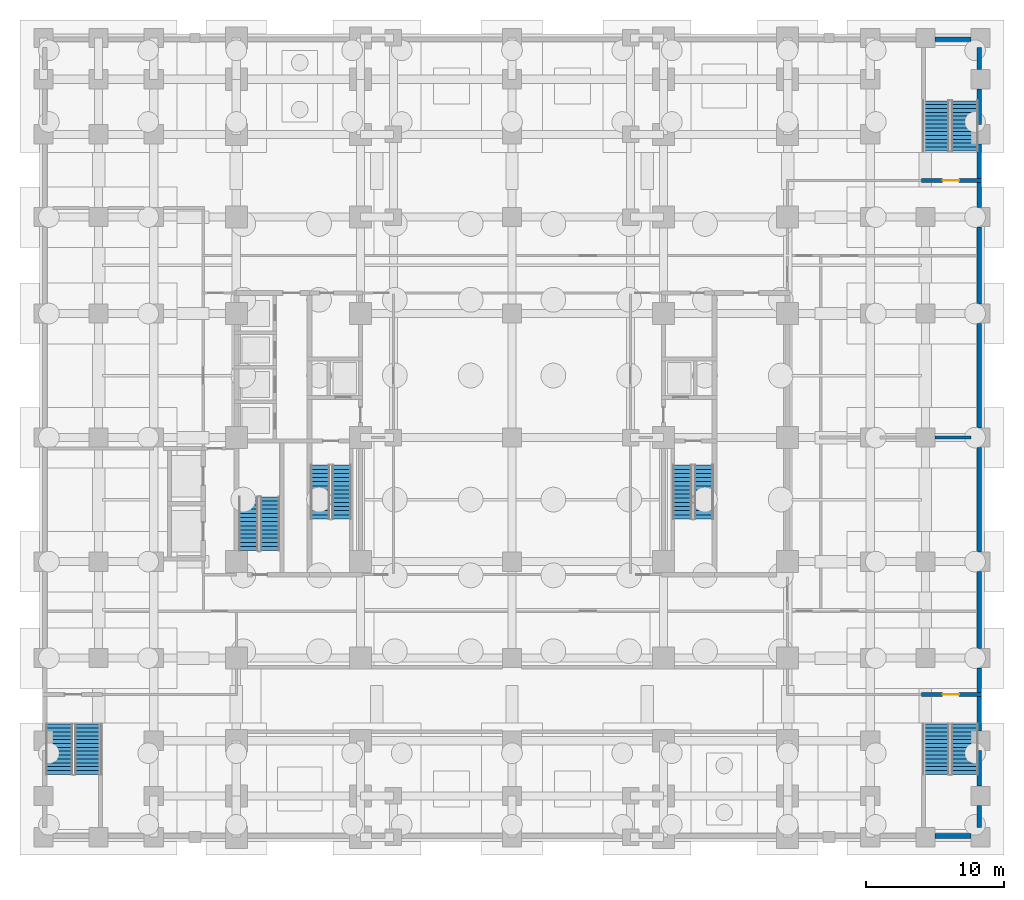
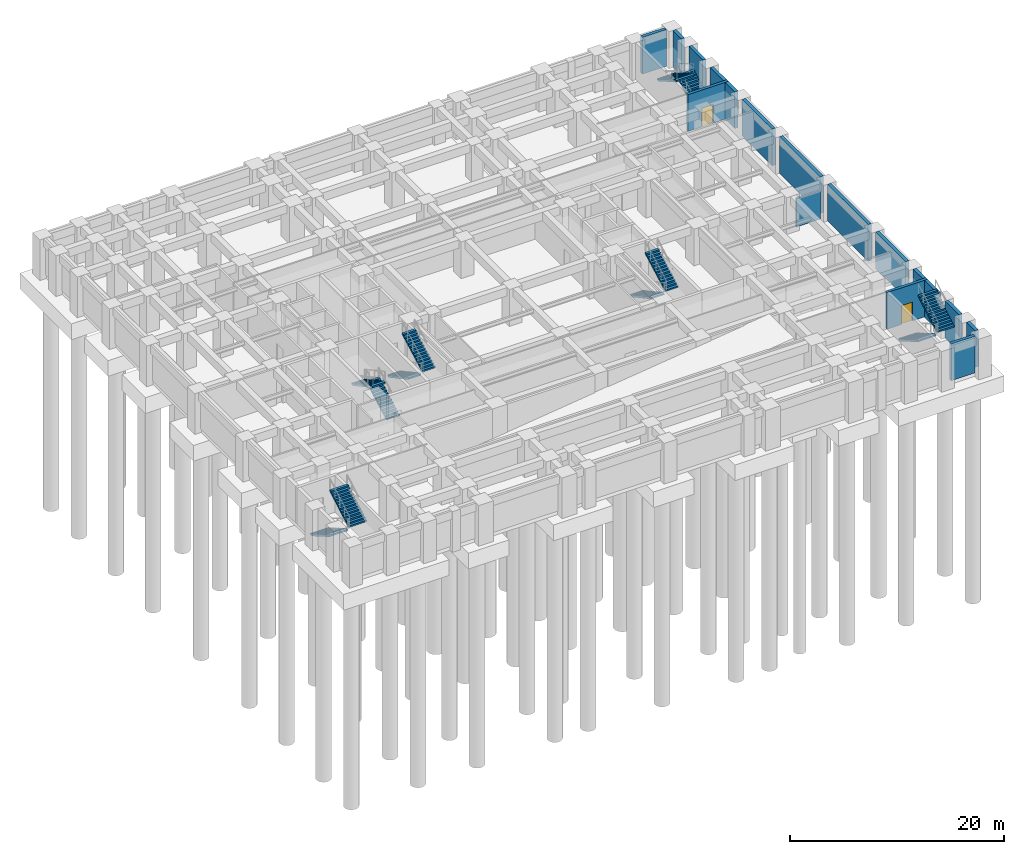
# One storey, part 9 of 16: 17 walls, 12 stair flights, 2 doors, 2 openings, 6 elements without a shape of their own.
"""IFC4 building model written with IfcOpenShell, lengths in metres."""

from ifc_helpers import new_model, si_unit, direction, frame, frame_2d, origin, place, context, subcontext, project, spatial, polyline, rectangle, outline, extrude, material, layer, layer_set, type_object, element, fill, aggregate, save


model = new_model("IFC4")

# Units and contexts
model_context = context("Model", 3, precision=1e-05, world=origin(), true_north=direction((0.0, 1.0)))
body_context = subcontext(model_context, "Body", "Model", "MODEL_VIEW")
ifc_project = project(units=[si_unit("LENGTHUNIT", "METRE"), si_unit("AREAUNIT", "SQUARE_METRE"), si_unit("VOLUMEUNIT", "CUBIC_METRE"), si_unit("PLANEANGLEUNIT", "RADIAN"), si_unit("MASSUNIT", "GRAM", prefix="KILO")], contexts=[model_context])

# Site, building, storey
site_placement = place(None, origin())
site = spatial("IfcSite", under=ifc_project, at=site_placement, CompositionType="ELEMENT")
building_placement = place(site_placement, origin())
building = spatial("IfcBuilding", under=site, at=building_placement, Name="Zulmaris Gate Convention Tower", CompositionType="ELEMENT")
storey_placement = place(building_placement, frame((0.0, 0.0, -9.10009765625)))
storey = spatial("IfcBuildingStorey", under=building, at=storey_placement, Name="B2", CompositionType="ELEMENT", Elevation=-9.10009765625)

# Wall, opening, door
ifc_material_1 = material(Name="Concrete C50/60", Category="concrete")
ifc_layer_1 = layer(ifc_material_1, 0.300048828125, Name="Concrete C50/60")
ifc_layer_set_1 = layer_set([ifc_layer_1], Name="Concrete C50/60")
wall_type_1 = type_object("IfcWallType", Name="CORE-300", PredefinedType="SHEAR", material=ifc_layer_set_1)
wall_1_placement = place(storey_placement, frame((29.699951171875, -18.64990234375, 0.0), z_axis=(0.0, 0.0, 1.0), x_axis=(1.0, 0.0, 0.0)))
wall_1 = element("IfcWall", 1, at=wall_1_placement, inside=storey, type_object=wall_type_1, Name="WL-B2-004", PredefinedType="SHEAR", context=body_context, shape_type="SweptSolid", body=[
    extrude(rectangle(XDim=4.375, YDim=0.300048828125, at=frame_2d((2.1875, 0.0))), origin(), (0.0, 0.0, 1.0), 4.2001953125),
])
opening_1_placement = place(wall_1_placement, frame((1.550048828125, 0.0, 0.0)))
opening_1 = element("IfcOpeningElement", 2, at=opening_1_placement, cuts=wall_1, Name="Opening D-13", PredefinedType="OPENING", context=body_context, shape_type="SweptSolid", body=[
    extrude(rectangle(XDim=1.199951171875, YDim=2.14990234375, at=frame_2d((0.60009765625, 1.074951171875))), frame((0.0, 0.16015625, 0.0), z_axis=(0.0, -1.0, 0.0), x_axis=(1.0, 0.0, 0.0)), (0.0, 0.0, 1.0), 0.320068359375),
])
ifc_material_2 = material(Name="Fire-Rated Steel", Category="steel")
door_type = type_object("IfcDoorType", Name="DR-1200-FD", OperationType="NOTDEFINED", PredefinedType="DOOR", material=ifc_material_2)
door_1_placement = place(opening_1_placement, origin())
door_1 = element("IfcDoor", 3, at=door_1_placement, inside=storey, type_object=door_type, Name="B2 Exit Stair ST-6 Door 21", OperationType="SINGLE_SWING_LEFT", OverallHeight=2.14990234375, OverallWidth=1.199951171875, PredefinedType="DOOR", context=body_context, shape_type="SweptSolid", body=[
    extrude(rectangle(XDim=1.199951171875, YDim=2.14990234375, at=frame_2d((0.60009765625, 1.074951171875))), frame((0.0, 0.02490234375, 0.0), z_axis=(0.0, -1.0, 0.0), x_axis=(1.0, 0.0, 0.0)), (0.0, 0.0, 1.0), 0.050048828125),
])
fill(opening_1, door_1)

wall_2_placement = place(storey_placement, frame((29.699951171875, 18.64990234375, 0.0), z_axis=(0.0, 0.0, 1.0), x_axis=(1.0, 0.0, 0.0)))
wall_2 = element("IfcWall", 4, at=wall_2_placement, inside=storey, type_object=wall_type_1, Name="WL-B2-026", PredefinedType="SHEAR", context=body_context, shape_type="SweptSolid", body=[
    extrude(rectangle(XDim=4.375, YDim=0.300048828125, at=frame_2d((2.1875, 0.0))), origin(), (0.0, 0.0, 1.0), 4.2001953125),
])
opening_2_placement = place(wall_2_placement, frame((1.550048828125, 0.0, 0.0)))
opening_2 = element("IfcOpeningElement", 5, at=opening_2_placement, cuts=wall_2, Name="Opening D-13", PredefinedType="OPENING", context=body_context, shape_type="SweptSolid", body=[
    extrude(rectangle(XDim=1.199951171875, YDim=2.14990234375, at=frame_2d((0.60009765625, 1.074951171875))), frame((0.0, 0.16015625, 0.0), z_axis=(0.0, -1.0, 0.0), x_axis=(1.0, 0.0, 0.0)), (0.0, 0.0, 1.0), 0.320068359375),
])
door_2_placement = place(opening_2_placement, origin())
door_2 = element("IfcDoor", 6, at=door_2_placement, inside=storey, type_object=door_type, Name="B2 Exit Stair ST-5 Door 20", OperationType="SINGLE_SWING_RIGHT", OverallHeight=2.14990234375, OverallWidth=1.199951171875, PredefinedType="DOOR", context=body_context, shape_type="SweptSolid", body=[
    extrude(rectangle(XDim=1.199951171875, YDim=2.14990234375, at=frame_2d((0.60009765625, 1.074951171875))), frame((0.0, 0.02490234375, 0.0), z_axis=(0.0, -1.0, 0.0), x_axis=(1.0, 0.0, 0.0)), (0.0, 0.0, 1.0), 0.050048828125),
])
fill(opening_2, door_2)

# Walls
ifc_material_3 = material(Name="Concrete C55/67", Category="concrete")
ifc_layer_2 = layer(ifc_material_3, 0.35009765625, Name="Concrete C55/67")
ifc_layer_set_2 = layer_set([ifc_layer_2], Name="Concrete C55/67")
wall_type_2 = type_object("IfcWallType", Name="CORE-350", PredefinedType="SHEAR", material=ifc_layer_set_2)
for number, where, z_axis, x_axis, name in (
    (7, (30.7041015625, -28.89990234375, 0.0), (0.0, 0.0, 1.0), (1.0, 0.0, 0.0), "WL-B2-001S13"),
    (8, (30.7041015625, 28.89990234375, 0.0), (0.0, 0.0, 1.0), (1.0, 0.0, 0.0), "WL-B2-027S13"),
):
    element("IfcWall", number, at=place(storey_placement, frame(where, z_axis=z_axis, x_axis=x_axis)), inside=storey, type_object=wall_type_2, Name=name, PredefinedType="SHEAR", context=body_context, shape_type="SweptSolid", body=[
        extrude(rectangle(XDim=2.591796875, YDim=0.35009765625, at=frame_2d((1.2958984375, 0.0))), origin(), (0.0, 0.0, 1.0), 4.2001953125),
    ])
wall_3_placement = place(storey_placement, frame((33.89990234375, -28.2958984375, 0.0), z_axis=(0.0, 0.0, 1.0), x_axis=(0.0, 1.0, 0.0)))
element("IfcWall", 9, at=wall_3_placement, inside=storey, type_object=wall_type_2, Name="WL-B2-085", PredefinedType="SHEAR", context=body_context, shape_type="SweptSolid", body=[
    extrude(rectangle(XDim=1.591796875, YDim=0.35009765625, at=frame_2d((0.7958984375, 0.0))), origin(), (0.0, 0.0, 1.0), 4.2001953125),
])
wall_4_placement = place(storey_placement, frame((33.89990234375, -25.2958984375, 0.0), z_axis=(0.0, 0.0, 1.0), x_axis=(0.0, 1.0, 0.0)))
element("IfcWall", 10, at=wall_4_placement, inside=storey, type_object=wall_type_2, Name="WL-B2-085S1", PredefinedType="SHEAR", context=body_context, shape_type="SweptSolid", body=[
    extrude(rectangle(XDim=2.591796875, YDim=0.35009765625, at=frame_2d((1.2958984375, 0.0))), origin(), (0.0, 0.0, 1.0), 4.2001953125),
])
wall_5_placement = place(storey_placement, frame((33.89990234375, -21.2958984375, 0.0), z_axis=(0.0, 0.0, 1.0), x_axis=(0.0, 1.0, 0.0)))
element("IfcWall", 11, at=wall_5_placement, inside=storey, type_object=wall_type_2, Name="WL-B2-085S2", PredefinedType="SHEAR", context=body_context, shape_type="SweptSolid", body=[
    extrude(rectangle(XDim=2.493896484375, YDim=0.35009765625, at=frame_2d((1.2470703125, 0.0))), origin(), (0.0, 0.0, 1.0), 4.2001953125),
])
wall_6_placement = place(storey_placement, frame((33.89990234375, -18.498046875, 0.0), z_axis=(0.0, 0.0, 1.0), x_axis=(0.0, 1.0, 0.0)))
element("IfcWall", 12, at=wall_6_placement, inside=storey, type_object=wall_type_2, Name="WL-B2-086", PredefinedType="SHEAR", context=body_context, shape_type="SweptSolid", body=[
    extrude(rectangle(XDim=1.7939453125, YDim=0.35009765625, at=frame_2d((0.89697265625, 0.0))), origin(), (0.0, 0.0, 1.0), 4.2001953125),
])
wall_7_placement = place(storey_placement, frame((33.89990234375, -15.2958984375, 0.0), z_axis=(0.0, 0.0, 1.0), x_axis=(0.0, 1.0, 0.0)))
element("IfcWall", 13, at=wall_7_placement, inside=storey, type_object=wall_type_2, Name="WL-B2-086S1", PredefinedType="SHEAR", context=body_context, shape_type="SweptSolid", body=[
    extrude(rectangle(XDim=5.591796875, YDim=0.35009765625, at=frame_2d((2.7958984375, 0.0))), origin(), (0.0, 0.0, 1.0), 4.2001953125),
])
for number, where, z_axis, x_axis, name in (
    (14, (33.89990234375, -8.2958984375, 0.0), (0.0, 0.0, 1.0), (0.0, 1.0, 0.0), "WL-B2-086S2"),
    (15, (33.89990234375, 0.7041015625, 0.0), (0.0, 0.0, 1.0), (0.0, 1.0, 0.0), "WL-B2-086S3"),
):
    element("IfcWall", number, at=place(storey_placement, frame(where, z_axis=z_axis, x_axis=x_axis)), inside=storey, type_object=wall_type_2, Name=name, PredefinedType="SHEAR", context=body_context, shape_type="SweptSolid", body=[
        extrude(rectangle(XDim=7.591796875, YDim=0.35009765625, at=frame_2d((3.7958984375, 0.0))), origin(), (0.0, 0.0, 1.0), 4.2001953125),
    ])
wall_8_placement = place(storey_placement, frame((33.89990234375, 9.7041015625, 0.0), z_axis=(0.0, 0.0, 1.0), x_axis=(0.0, 1.0, 0.0)))
element("IfcWall", 16, at=wall_8_placement, inside=storey, type_object=wall_type_2, Name="WL-B2-086S4", PredefinedType="SHEAR", context=body_context, shape_type="SweptSolid", body=[
    extrude(rectangle(XDim=5.591796875, YDim=0.35009765625, at=frame_2d((2.7958984375, 0.0))), origin(), (0.0, 0.0, 1.0), 4.2001953125),
])
wall_9_placement = place(storey_placement, frame((33.89990234375, 16.7041015625, 0.0), z_axis=(0.0, 0.0, 1.0), x_axis=(0.0, 1.0, 0.0)))
element("IfcWall", 17, at=wall_9_placement, inside=storey, type_object=wall_type_2, Name="WL-B2-086S5", PredefinedType="SHEAR", context=body_context, shape_type="SweptSolid", body=[
    extrude(rectangle(XDim=1.7939453125, YDim=0.35009765625, at=frame_2d((0.89697265625, 0.0))), origin(), (0.0, 0.0, 1.0), 4.2001953125),
])
wall_10_placement = place(storey_placement, frame((33.89990234375, 18.802001953125, 0.0), z_axis=(0.0, 0.0, 1.0), x_axis=(0.0, 1.0, 0.0)))
element("IfcWall", 18, at=wall_10_placement, inside=storey, type_object=wall_type_2, Name="WL-B2-087", PredefinedType="SHEAR", context=body_context, shape_type="SweptSolid", body=[
    extrude(rectangle(XDim=2.493896484375, YDim=0.35009765625, at=frame_2d((1.2470703125, 0.0))), origin(), (0.0, 0.0, 1.0), 4.2001953125),
])
wall_11_placement = place(storey_placement, frame((33.89990234375, 22.7041015625, 0.0), z_axis=(0.0, 0.0, 1.0), x_axis=(0.0, 1.0, 0.0)))
element("IfcWall", 19, at=wall_11_placement, inside=storey, type_object=wall_type_2, Name="WL-B2-087S1", PredefinedType="SHEAR", context=body_context, shape_type="SweptSolid", body=[
    extrude(rectangle(XDim=2.591796875, YDim=0.35009765625, at=frame_2d((1.2958984375, 0.0))), origin(), (0.0, 0.0, 1.0), 4.2001953125),
])
wall_12_placement = place(storey_placement, frame((33.89990234375, 26.7041015625, 0.0), z_axis=(0.0, 0.0, 1.0), x_axis=(0.0, 1.0, 0.0)))
element("IfcWall", 20, at=wall_12_placement, inside=storey, type_object=wall_type_2, Name="WL-B2-087S2", PredefinedType="SHEAR", context=body_context, shape_type="SweptSolid", body=[
    extrude(rectangle(XDim=1.591796875, YDim=0.35009765625, at=frame_2d((0.7958984375, 0.0))), origin(), (0.0, 0.0, 1.0), 4.2001953125),
])
ifc_material_4 = material(Name="Autoclaved Aerated Concrete Block and Plasterboard", Category="concrete")
ifc_layer_3 = layer(ifc_material_4, 0.199951171875, Name="Autoclaved Aerated Concrete Block and Plasterboard")
ifc_layer_set_3 = layer_set([ifc_layer_3], Name="Autoclaved Aerated Concrete Block and Plasterboard")
wall_type_3 = type_object("IfcWallType", Name="PART-200", PredefinedType="PARTITIONING", material=ifc_layer_set_3)
wall_13_placement = place(storey_placement, frame((30.7060546875, 0.0, 0.0), z_axis=(0.0, 0.0, 1.0), x_axis=(1.0, 0.0, 0.0)))
element("IfcWall", 21, at=wall_13_placement, inside=storey, type_object=wall_type_3, Name="WL-B2-038S2", PredefinedType="PARTITIONING", context=body_context, shape_type="SweptSolid", body=[
    extrude(rectangle(XDim=2.587890625, YDim=0.199951171875, at=frame_2d((1.2939453125, 0.0))), origin(), (0.0, 0.0, 1.0), 3.2421875),
])

# Stair, stair flights
ifc_material_5 = material(Name="Concrete C45/55", Category="concrete")
stair_type_1 = type_object("IfcStairType", Name="ST-CORE-DOGLEG", PredefinedType="HALF_TURN_STAIR", material=ifc_material_5)
stair_1_placement = place(storey_placement, origin())
stair_1 = element("IfcStair", 22, at=stair_1_placement, inside=storey, type_object=stair_type_1, Name="B2 Core Exit Stair ST-1", PredefinedType="HALF_TURN_STAIR")
ifc_layer_4 = layer(ifc_material_5, 0.14990234375, Name="Concrete C45/55")
ifc_layer_set_4 = layer_set([ifc_layer_4], Name="Concrete C45/55")
stair_flight_type_1 = type_object("IfcStairFlightType", Name="STF-RC150", PredefinedType="STRAIGHT", material=ifc_layer_set_4)
stair_flight_1_placement = place(storey_placement, frame((-13.919921875, -2.0, 0.0), z_axis=(0.0, 0.0, 1.0), x_axis=(0.0, -1.0, 0.0)))
stair_flight_1 = element("IfcStairFlight", 23, at=stair_flight_1_placement, type_object=stair_flight_type_1, Name="ST-1 flight 1", NumberOfRisers=14, NumberOfTreads=13, PredefinedType="STRAIGHT", RiserHeight=0.162503571, TreadLength=0.3, context=body_context, shape_type="SweptSolid", body=[
    extrude(outline(polyline([(0.0, 0.0), (0.0, 0.16259765625), (0.300048828125, 0.16259765625), (0.300048828125, 0.324951171875), (0.60009765625, 0.324951171875), (0.60009765625, 0.487548828125), (0.89990234375, 0.487548828125), (0.89990234375, 0.64990234375), (1.199951171875, 0.64990234375), (1.199951171875, 0.8125), (1.5, 0.8125), (1.5, 0.97509765625), (1.800048828125, 0.97509765625), (1.800048828125, 1.137451171875), (2.10009765625, 1.137451171875), (2.10009765625, 1.300048828125), (2.39990234375, 1.300048828125), (2.39990234375, 1.462646484375), (2.699951171875, 1.462646484375), (2.699951171875, 1.625), (3.0, 1.625), (3.0, 1.78759765625), (3.300048828125, 1.78759765625), (3.300048828125, 1.949951171875), (3.60009765625, 1.949951171875), (3.60009765625, 2.112548828125), (3.89990234375, 2.112548828125), (3.89990234375, 2.275146484375), (3.89990234375, 1.942138671875), (0.314697265625, 0.0), (0.0, 0.0)])), frame((0.0, 0.699951171875, 0.0), z_axis=(0.0, -1.0, 0.0), x_axis=(1.0, 0.0, 0.0)), (0.0, 0.0, 1.0), 1.39990234375),
])
stair_flight_2_placement = place(storey_placement, frame((-12.360107421875, -5.89990234375, 2.275146484375), z_axis=(0.0, 0.0, 1.0), x_axis=(0.0, 1.0, 0.0)))
stair_flight_2 = element("IfcStairFlight", 24, at=stair_flight_2_placement, type_object=stair_flight_type_1, Name="ST-1 flight 2", NumberOfRisers=14, NumberOfTreads=13, PredefinedType="STRAIGHT", RiserHeight=0.162503571, TreadLength=0.3, context=body_context, shape_type="SweptSolid", body=[
    extrude(outline(polyline([(0.0, 0.0), (0.0, 0.16259765625), (0.300048828125, 0.16259765625), (0.300048828125, 0.324951171875), (0.60009765625, 0.324951171875), (0.60009765625, 0.487548828125), (0.89990234375, 0.487548828125), (0.89990234375, 0.64990234375), (1.199951171875, 0.64990234375), (1.199951171875, 0.8125), (1.5, 0.8125), (1.5, 0.97509765625), (1.800048828125, 0.97509765625), (1.800048828125, 1.137451171875), (2.10009765625, 1.137451171875), (2.10009765625, 1.300048828125), (2.39990234375, 1.300048828125), (2.39990234375, 1.462646484375), (2.699951171875, 1.462646484375), (2.699951171875, 1.625), (3.0, 1.625), (3.0, 1.78759765625), (3.300048828125, 1.78759765625), (3.300048828125, 1.949951171875), (3.60009765625, 1.949951171875), (3.60009765625, 2.112548828125), (3.89990234375, 2.112548828125), (3.89990234375, 2.275146484375), (3.89990234375, 1.942138671875), (0.314697265625, 0.0), (0.0, 0.0)])), frame((0.0, 0.699951171875, 0.0), z_axis=(0.0, -1.0, 0.0), x_axis=(1.0, 0.0, 0.0)), (0.0, 0.0, 1.0), 1.39990234375),
])
aggregate(stair_1, [stair_flight_1, stair_flight_2])

stair_2_placement = place(storey_placement, origin())
stair_2 = element("IfcStair", 25, at=stair_2_placement, inside=storey, type_object=stair_type_1, Name="B2 Core Exit Stair ST-2", PredefinedType="HALF_TURN_STAIR")
stair_flight_3_placement = place(storey_placement, frame((12.360107421875, -2.0, 0.0), z_axis=(0.0, 0.0, 1.0), x_axis=(0.0, -1.0, 0.0)))
stair_flight_3 = element("IfcStairFlight", 26, at=stair_flight_3_placement, type_object=stair_flight_type_1, Name="ST-2 flight 1", NumberOfRisers=14, NumberOfTreads=13, PredefinedType="STRAIGHT", RiserHeight=0.162503571, TreadLength=0.3, context=body_context, shape_type="SweptSolid", body=[
    extrude(outline(polyline([(0.0, 0.0), (0.0, 0.16259765625), (0.300048828125, 0.16259765625), (0.300048828125, 0.324951171875), (0.60009765625, 0.324951171875), (0.60009765625, 0.487548828125), (0.89990234375, 0.487548828125), (0.89990234375, 0.64990234375), (1.199951171875, 0.64990234375), (1.199951171875, 0.8125), (1.5, 0.8125), (1.5, 0.97509765625), (1.800048828125, 0.97509765625), (1.800048828125, 1.137451171875), (2.10009765625, 1.137451171875), (2.10009765625, 1.300048828125), (2.39990234375, 1.300048828125), (2.39990234375, 1.462646484375), (2.699951171875, 1.462646484375), (2.699951171875, 1.625), (3.0, 1.625), (3.0, 1.78759765625), (3.300048828125, 1.78759765625), (3.300048828125, 1.949951171875), (3.60009765625, 1.949951171875), (3.60009765625, 2.112548828125), (3.89990234375, 2.112548828125), (3.89990234375, 2.275146484375), (3.89990234375, 1.942138671875), (0.314697265625, 0.0), (0.0, 0.0)])), frame((0.0, 0.699951171875, 0.0), z_axis=(0.0, -1.0, 0.0), x_axis=(1.0, 0.0, 0.0)), (0.0, 0.0, 1.0), 1.39990234375),
])
stair_flight_4_placement = place(storey_placement, frame((13.919921875, -5.89990234375, 2.275146484375), z_axis=(0.0, 0.0, 1.0), x_axis=(0.0, 1.0, 0.0)))
stair_flight_4 = element("IfcStairFlight", 27, at=stair_flight_4_placement, type_object=stair_flight_type_1, Name="ST-2 flight 2", NumberOfRisers=14, NumberOfTreads=13, PredefinedType="STRAIGHT", RiserHeight=0.162503571, TreadLength=0.3, context=body_context, shape_type="SweptSolid", body=[
    extrude(outline(polyline([(0.0, 0.0), (0.0, 0.16259765625), (0.300048828125, 0.16259765625), (0.300048828125, 0.324951171875), (0.60009765625, 0.324951171875), (0.60009765625, 0.487548828125), (0.89990234375, 0.487548828125), (0.89990234375, 0.64990234375), (1.199951171875, 0.64990234375), (1.199951171875, 0.8125), (1.5, 0.8125), (1.5, 0.97509765625), (1.800048828125, 0.97509765625), (1.800048828125, 1.137451171875), (2.10009765625, 1.137451171875), (2.10009765625, 1.300048828125), (2.39990234375, 1.300048828125), (2.39990234375, 1.462646484375), (2.699951171875, 1.462646484375), (2.699951171875, 1.625), (3.0, 1.625), (3.0, 1.78759765625), (3.300048828125, 1.78759765625), (3.300048828125, 1.949951171875), (3.60009765625, 1.949951171875), (3.60009765625, 2.112548828125), (3.89990234375, 2.112548828125), (3.89990234375, 2.275146484375), (3.89990234375, 1.942138671875), (0.314697265625, 0.0), (0.0, 0.0)])), frame((0.0, 0.699951171875, 0.0), z_axis=(0.0, -1.0, 0.0), x_axis=(1.0, 0.0, 0.0)), (0.0, 0.0, 1.0), 1.39990234375),
])
aggregate(stair_2, [stair_flight_3, stair_flight_4])

stair_3_placement = place(storey_placement, origin())
stair_3 = element("IfcStair", 28, at=stair_3_placement, inside=storey, type_object=stair_type_1, Name="B2 Core Exit Stair ST-3", PredefinedType="HALF_TURN_STAIR")
stair_flight_5_placement = place(storey_placement, frame((-17.56005859375, -8.199951171875, 0.0), z_axis=(0.0, 0.0, 1.0), x_axis=(0.0, 1.0, 0.0)))
stair_flight_5 = element("IfcStairFlight", 29, at=stair_flight_5_placement, type_object=stair_flight_type_1, Name="ST-3 flight 1", NumberOfRisers=14, NumberOfTreads=13, PredefinedType="STRAIGHT", RiserHeight=0.162503571, TreadLength=0.3, context=body_context, shape_type="SweptSolid", body=[
    extrude(outline(polyline([(0.0, 0.0), (0.0, 0.16259765625), (0.300048828125, 0.16259765625), (0.300048828125, 0.324951171875), (0.60009765625, 0.324951171875), (0.60009765625, 0.487548828125), (0.89990234375, 0.487548828125), (0.89990234375, 0.64990234375), (1.199951171875, 0.64990234375), (1.199951171875, 0.8125), (1.5, 0.8125), (1.5, 0.97509765625), (1.800048828125, 0.97509765625), (1.800048828125, 1.137451171875), (2.10009765625, 1.137451171875), (2.10009765625, 1.300048828125), (2.39990234375, 1.300048828125), (2.39990234375, 1.462646484375), (2.699951171875, 1.462646484375), (2.699951171875, 1.625), (3.0, 1.625), (3.0, 1.78759765625), (3.300048828125, 1.78759765625), (3.300048828125, 1.949951171875), (3.60009765625, 1.949951171875), (3.60009765625, 2.112548828125), (3.89990234375, 2.112548828125), (3.89990234375, 2.275146484375), (3.89990234375, 1.942138671875), (0.314697265625, 0.0), (0.0, 0.0)])), frame((0.0, 0.699951171875, 0.0), z_axis=(0.0, -1.0, 0.0), x_axis=(1.0, 0.0, 0.0)), (0.0, 0.0, 1.0), 1.39990234375),
])
stair_flight_6_placement = place(storey_placement, frame((-19.1201171875, -4.300048828125, 2.275146484375), z_axis=(0.0, 0.0, 1.0), x_axis=(0.0, -1.0, 0.0)))
stair_flight_6 = element("IfcStairFlight", 30, at=stair_flight_6_placement, type_object=stair_flight_type_1, Name="ST-3 flight 2", NumberOfRisers=14, NumberOfTreads=13, PredefinedType="STRAIGHT", RiserHeight=0.162503571, TreadLength=0.3, context=body_context, shape_type="SweptSolid", body=[
    extrude(outline(polyline([(0.0, 0.0), (0.0, 0.16259765625), (0.300048828125, 0.16259765625), (0.300048828125, 0.324951171875), (0.60009765625, 0.324951171875), (0.60009765625, 0.487548828125), (0.89990234375, 0.487548828125), (0.89990234375, 0.64990234375), (1.199951171875, 0.64990234375), (1.199951171875, 0.8125), (1.5, 0.8125), (1.5, 0.97509765625), (1.800048828125, 0.97509765625), (1.800048828125, 1.137451171875), (2.10009765625, 1.137451171875), (2.10009765625, 1.300048828125), (2.39990234375, 1.300048828125), (2.39990234375, 1.462646484375), (2.699951171875, 1.462646484375), (2.699951171875, 1.625), (3.0, 1.625), (3.0, 1.78759765625), (3.300048828125, 1.78759765625), (3.300048828125, 1.949951171875), (3.60009765625, 1.949951171875), (3.60009765625, 2.112548828125), (3.89990234375, 2.112548828125), (3.89990234375, 2.275146484375), (3.89990234375, 1.942138671875), (0.314697265625, 0.0), (0.0, 0.0)])), frame((0.0, 0.699951171875, 0.0), z_axis=(0.0, -1.0, 0.0), x_axis=(1.0, 0.0, 0.0)), (0.0, 0.0, 1.0), 1.39990234375),
])
aggregate(stair_3, [stair_flight_5, stair_flight_6])

stair_type_2 = type_object("IfcStairType", Name="ST-POD-DOGLEG", PredefinedType="HALF_TURN_STAIR", material=ifc_material_5)
stair_4_placement = place(storey_placement, origin())
stair_4 = element("IfcStair", 31, at=stair_4_placement, inside=storey, type_object=stair_type_2, Name="B2 Podium Exit Stair ST-4", PredefinedType="HALF_TURN_STAIR")
ifc_layer_5 = layer(ifc_material_5, 0.159912109375, Name="Concrete C45/55")
ifc_layer_set_5 = layer_set([ifc_layer_5], Name="Concrete C45/55")
stair_flight_type_2 = type_object("IfcStairFlightType", Name="STF-RC195", PredefinedType="STRAIGHT", material=ifc_layer_set_5)
stair_flight_7_placement = place(storey_placement, frame((-32.85498046875, -20.800048828125, 0.0), z_axis=(0.0, 0.0, 1.0), x_axis=(0.0, -1.0, 0.0)))
stair_flight_7 = element("IfcStairFlight", 32, at=stair_flight_7_placement, type_object=stair_flight_type_2, Name="ST-4 flight 1", NumberOfRisers=14, NumberOfTreads=13, PredefinedType="STRAIGHT", RiserHeight=0.162503571, TreadLength=0.28, context=body_context, shape_type="SweptSolid", body=[
    extrude(outline(polyline([(0.0, 0.0), (0.0, 0.16259765625), (0.280029296875, 0.16259765625), (0.280029296875, 0.324951171875), (0.56005859375, 0.324951171875), (0.56005859375, 0.487548828125), (0.840087890625, 0.487548828125), (0.840087890625, 0.64990234375), (1.1201171875, 0.64990234375), (1.1201171875, 0.8125), (1.39990234375, 0.8125), (1.39990234375, 0.97509765625), (1.679931640625, 0.97509765625), (1.679931640625, 1.137451171875), (1.9599609375, 1.137451171875), (1.9599609375, 1.300048828125), (2.239990234375, 1.300048828125), (2.239990234375, 1.462646484375), (2.52001953125, 1.462646484375), (2.52001953125, 1.625), (2.800048828125, 1.625), (2.800048828125, 1.78759765625), (3.080078125, 1.78759765625), (3.080078125, 1.949951171875), (3.360107421875, 1.949951171875), (3.360107421875, 2.112548828125), (3.639892578125, 2.112548828125), (3.639892578125, 2.275146484375), (3.639892578125, 1.939208984375), (0.298583984375, 0.0), (0.0, 0.0)])), frame((0.0, 0.97509765625, 0.0), z_axis=(0.0, -1.0, 0.0), x_axis=(1.0, 0.0, 0.0)), (0.0, 0.0, 1.0), 1.949951171875),
])
stair_flight_8_placement = place(storey_placement, frame((-30.7548828125, -24.43994140625, 2.275146484375), z_axis=(0.0, 0.0, 1.0), x_axis=(0.0, 1.0, 0.0)))
stair_flight_8 = element("IfcStairFlight", 33, at=stair_flight_8_placement, type_object=stair_flight_type_2, Name="ST-4 flight 2", NumberOfRisers=14, NumberOfTreads=13, PredefinedType="STRAIGHT", RiserHeight=0.162503571, TreadLength=0.28, context=body_context, shape_type="SweptSolid", body=[
    extrude(outline(polyline([(0.0, 0.0), (0.0, 0.16259765625), (0.280029296875, 0.16259765625), (0.280029296875, 0.324951171875), (0.56005859375, 0.324951171875), (0.56005859375, 0.487548828125), (0.840087890625, 0.487548828125), (0.840087890625, 0.64990234375), (1.1201171875, 0.64990234375), (1.1201171875, 0.8125), (1.39990234375, 0.8125), (1.39990234375, 0.97509765625), (1.679931640625, 0.97509765625), (1.679931640625, 1.137451171875), (1.9599609375, 1.137451171875), (1.9599609375, 1.300048828125), (2.239990234375, 1.300048828125), (2.239990234375, 1.462646484375), (2.52001953125, 1.462646484375), (2.52001953125, 1.625), (2.800048828125, 1.625), (2.800048828125, 1.78759765625), (3.080078125, 1.78759765625), (3.080078125, 1.949951171875), (3.360107421875, 1.949951171875), (3.360107421875, 2.112548828125), (3.639892578125, 2.112548828125), (3.639892578125, 2.275146484375), (3.639892578125, 1.939208984375), (0.298583984375, 0.0), (0.0, 0.0)])), frame((0.0, 0.97509765625, 0.0), z_axis=(0.0, -1.0, 0.0), x_axis=(1.0, 0.0, 0.0)), (0.0, 0.0, 1.0), 1.949951171875),
])
aggregate(stair_4, [stair_flight_7, stair_flight_8])

stair_5_placement = place(storey_placement, origin())
stair_5 = element("IfcStair", 34, at=stair_5_placement, inside=storey, type_object=stair_type_2, Name="B2 Podium Exit Stair ST-5", PredefinedType="HALF_TURN_STAIR")
stair_flight_9_placement = place(storey_placement, frame((32.85498046875, 20.800048828125, 0.0), z_axis=(0.0, 0.0, 1.0), x_axis=(0.0, 1.0, 0.0)))
stair_flight_9 = element("IfcStairFlight", 35, at=stair_flight_9_placement, type_object=stair_flight_type_2, Name="ST-5 flight 1", NumberOfRisers=14, NumberOfTreads=13, PredefinedType="STRAIGHT", RiserHeight=0.162503571, TreadLength=0.28, context=body_context, shape_type="SweptSolid", body=[
    extrude(outline(polyline([(0.0, 0.0), (0.0, 0.16259765625), (0.280029296875, 0.16259765625), (0.280029296875, 0.324951171875), (0.56005859375, 0.324951171875), (0.56005859375, 0.487548828125), (0.840087890625, 0.487548828125), (0.840087890625, 0.64990234375), (1.1201171875, 0.64990234375), (1.1201171875, 0.8125), (1.39990234375, 0.8125), (1.39990234375, 0.97509765625), (1.679931640625, 0.97509765625), (1.679931640625, 1.137451171875), (1.9599609375, 1.137451171875), (1.9599609375, 1.300048828125), (2.239990234375, 1.300048828125), (2.239990234375, 1.462646484375), (2.52001953125, 1.462646484375), (2.52001953125, 1.625), (2.800048828125, 1.625), (2.800048828125, 1.78759765625), (3.080078125, 1.78759765625), (3.080078125, 1.949951171875), (3.360107421875, 1.949951171875), (3.360107421875, 2.112548828125), (3.639892578125, 2.112548828125), (3.639892578125, 2.275146484375), (3.639892578125, 1.939208984375), (0.298583984375, 0.0), (0.0, 0.0)])), frame((0.0, 0.97509765625, 0.0), z_axis=(0.0, -1.0, 0.0), x_axis=(1.0, 0.0, 0.0)), (0.0, 0.0, 1.0), 1.949951171875),
])
stair_flight_10_placement = place(storey_placement, frame((30.7548828125, 24.43994140625, 2.275146484375), z_axis=(0.0, 0.0, 1.0), x_axis=(0.0, -1.0, 0.0)))
stair_flight_10 = element("IfcStairFlight", 36, at=stair_flight_10_placement, type_object=stair_flight_type_2, Name="ST-5 flight 2", NumberOfRisers=14, NumberOfTreads=13, PredefinedType="STRAIGHT", RiserHeight=0.162503571, TreadLength=0.28, context=body_context, shape_type="SweptSolid", body=[
    extrude(outline(polyline([(0.0, 0.0), (0.0, 0.16259765625), (0.280029296875, 0.16259765625), (0.280029296875, 0.324951171875), (0.56005859375, 0.324951171875), (0.56005859375, 0.487548828125), (0.840087890625, 0.487548828125), (0.840087890625, 0.64990234375), (1.1201171875, 0.64990234375), (1.1201171875, 0.8125), (1.39990234375, 0.8125), (1.39990234375, 0.97509765625), (1.679931640625, 0.97509765625), (1.679931640625, 1.137451171875), (1.9599609375, 1.137451171875), (1.9599609375, 1.300048828125), (2.239990234375, 1.300048828125), (2.239990234375, 1.462646484375), (2.52001953125, 1.462646484375), (2.52001953125, 1.625), (2.800048828125, 1.625), (2.800048828125, 1.78759765625), (3.080078125, 1.78759765625), (3.080078125, 1.949951171875), (3.360107421875, 1.949951171875), (3.360107421875, 2.112548828125), (3.639892578125, 2.112548828125), (3.639892578125, 2.275146484375), (3.639892578125, 1.939208984375), (0.298583984375, 0.0), (0.0, 0.0)])), frame((0.0, 0.97509765625, 0.0), z_axis=(0.0, -1.0, 0.0), x_axis=(1.0, 0.0, 0.0)), (0.0, 0.0, 1.0), 1.949951171875),
])
aggregate(stair_5, [stair_flight_9, stair_flight_10])

stair_6_placement = place(storey_placement, origin())
stair_6 = element("IfcStair", 37, at=stair_6_placement, inside=storey, type_object=stair_type_2, Name="B2 Podium Exit Stair ST-6", PredefinedType="HALF_TURN_STAIR")
stair_flight_11_placement = place(storey_placement, frame((30.7548828125, -20.800048828125, 0.0), z_axis=(0.0, 0.0, 1.0), x_axis=(0.0, -1.0, 0.0)))
stair_flight_11 = element("IfcStairFlight", 38, at=stair_flight_11_placement, type_object=stair_flight_type_2, Name="ST-6 flight 1", NumberOfRisers=14, NumberOfTreads=13, PredefinedType="STRAIGHT", RiserHeight=0.162503571, TreadLength=0.28, context=body_context, shape_type="SweptSolid", body=[
    extrude(outline(polyline([(0.0, 0.0), (0.0, 0.16259765625), (0.280029296875, 0.16259765625), (0.280029296875, 0.324951171875), (0.56005859375, 0.324951171875), (0.56005859375, 0.487548828125), (0.840087890625, 0.487548828125), (0.840087890625, 0.64990234375), (1.1201171875, 0.64990234375), (1.1201171875, 0.8125), (1.39990234375, 0.8125), (1.39990234375, 0.97509765625), (1.679931640625, 0.97509765625), (1.679931640625, 1.137451171875), (1.9599609375, 1.137451171875), (1.9599609375, 1.300048828125), (2.239990234375, 1.300048828125), (2.239990234375, 1.462646484375), (2.52001953125, 1.462646484375), (2.52001953125, 1.625), (2.800048828125, 1.625), (2.800048828125, 1.78759765625), (3.080078125, 1.78759765625), (3.080078125, 1.949951171875), (3.360107421875, 1.949951171875), (3.360107421875, 2.112548828125), (3.639892578125, 2.112548828125), (3.639892578125, 2.275146484375), (3.639892578125, 1.939208984375), (0.298583984375, 0.0), (0.0, 0.0)])), frame((0.0, 0.97509765625, 0.0), z_axis=(0.0, -1.0, 0.0), x_axis=(1.0, 0.0, 0.0)), (0.0, 0.0, 1.0), 1.949951171875),
])
stair_flight_12_placement = place(storey_placement, frame((32.85498046875, -24.43994140625, 2.275146484375), z_axis=(0.0, 0.0, 1.0), x_axis=(0.0, 1.0, 0.0)))
stair_flight_12 = element("IfcStairFlight", 39, at=stair_flight_12_placement, type_object=stair_flight_type_2, Name="ST-6 flight 2", NumberOfRisers=14, NumberOfTreads=13, PredefinedType="STRAIGHT", RiserHeight=0.162503571, TreadLength=0.28, context=body_context, shape_type="SweptSolid", body=[
    extrude(outline(polyline([(0.0, 0.0), (0.0, 0.16259765625), (0.280029296875, 0.16259765625), (0.280029296875, 0.324951171875), (0.56005859375, 0.324951171875), (0.56005859375, 0.487548828125), (0.840087890625, 0.487548828125), (0.840087890625, 0.64990234375), (1.1201171875, 0.64990234375), (1.1201171875, 0.8125), (1.39990234375, 0.8125), (1.39990234375, 0.97509765625), (1.679931640625, 0.97509765625), (1.679931640625, 1.137451171875), (1.9599609375, 1.137451171875), (1.9599609375, 1.300048828125), (2.239990234375, 1.300048828125), (2.239990234375, 1.462646484375), (2.52001953125, 1.462646484375), (2.52001953125, 1.625), (2.800048828125, 1.625), (2.800048828125, 1.78759765625), (3.080078125, 1.78759765625), (3.080078125, 1.949951171875), (3.360107421875, 1.949951171875), (3.360107421875, 2.112548828125), (3.639892578125, 2.112548828125), (3.639892578125, 2.275146484375), (3.639892578125, 1.939208984375), (0.298583984375, 0.0), (0.0, 0.0)])), frame((0.0, 0.97509765625, 0.0), z_axis=(0.0, -1.0, 0.0), x_axis=(1.0, 0.0, 0.0)), (0.0, 0.0, 1.0), 1.949951171875),
])
aggregate(stair_6, [stair_flight_11, stair_flight_12])

save(model, "model.ifc")
